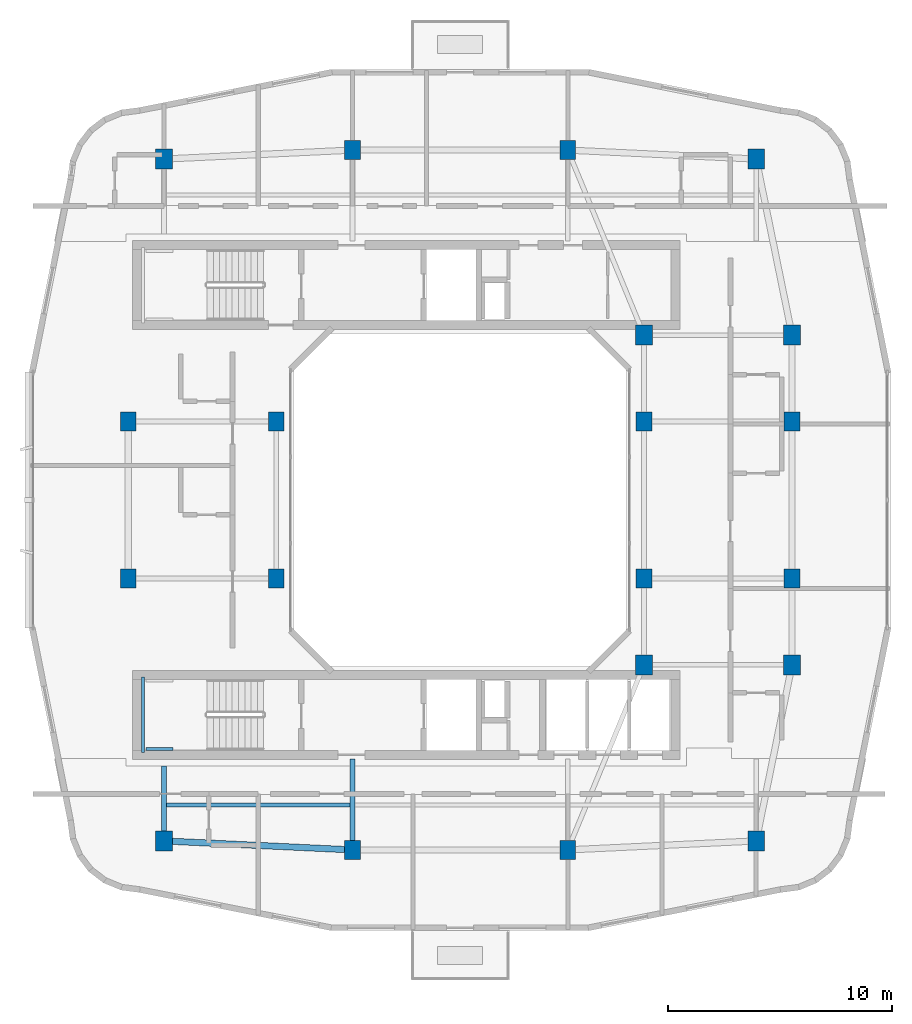
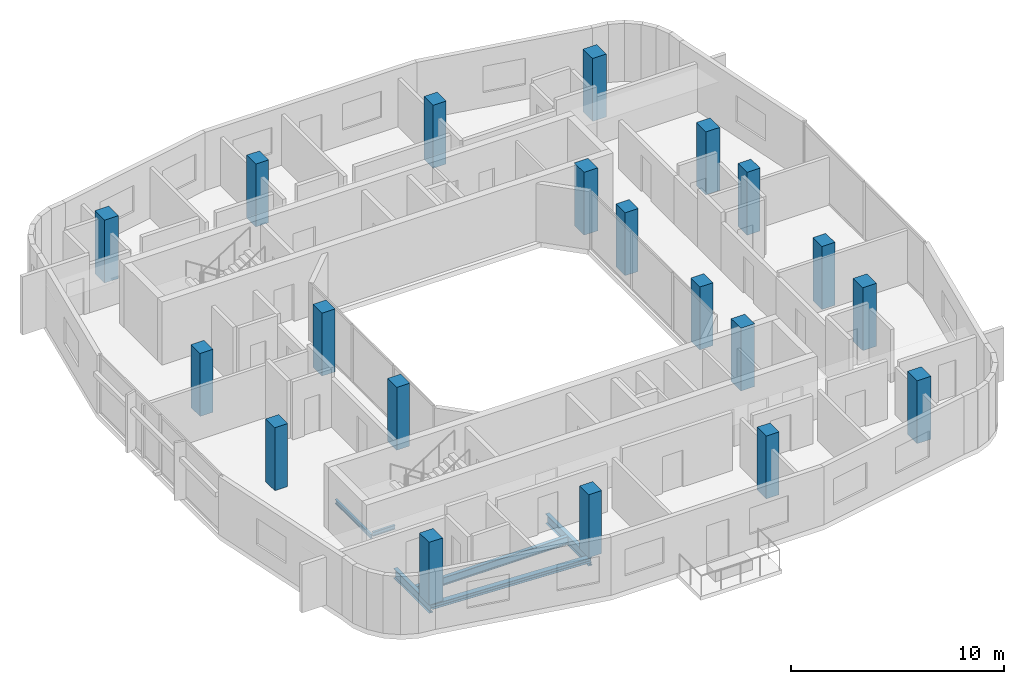
# One storey, part 1 of 13: 20 columns, 6 beams.
"""IFC4 building model written with IfcOpenShell, lengths in metres."""

from ifc_helpers import new_model, si_unit, derived_unit, direction, frame, origin, origin_2d, place, context, subcontext, project, spatial, rectangle, i_section, extrude, material, material_profile, profile_set, type_object, element, save


model = new_model("IFC4")

# Units and contexts
model_context = context("Model", 3, precision=1e-05, world=origin(), true_north=direction((0.0, 1.0)))
body_context = subcontext(model_context, "Body", "Model", "MODEL_VIEW")
ifc_project = project(units=[si_unit("LENGTHUNIT", "METRE"), si_unit("AREAUNIT", "SQUARE_METRE"), si_unit("VOLUMEUNIT", "CUBIC_METRE"), si_unit("PLANEANGLEUNIT", "RADIAN"), si_unit("MASSUNIT", "GRAM", prefix="KILO"), derived_unit("THERMALTRANSMITTANCEUNIT", [(si_unit("POWERUNIT", "WATT"), 1), (si_unit("LENGTHUNIT", "METRE"), -2), (si_unit("THERMODYNAMICTEMPERATUREUNIT", "KELVIN"), -1)])], contexts=[model_context])

# Site, building, storey
site_placement = place(None, origin())
site = spatial("IfcSite", under=ifc_project, at=site_placement, CompositionType="ELEMENT")
building_placement = place(site_placement, origin())
building = spatial("IfcBuilding", under=site, at=building_placement, Name="Kivonza Crest Hotel", CompositionType="ELEMENT")
storey_placement = place(building_placement, frame((0.0, 0.0, 231.5)))
storey = spatial("IfcBuildingStorey", under=building, at=storey_placement, Name="L63", CompositionType="ELEMENT", Elevation=231.5)

# Columns
ifc_material_1 = material(Name="Concrete C50/60", Category="concrete")
ifc_material_profile_1 = material_profile(ifc_material_1, rectangle(XDim=0.699951171875, YDim=0.85009765625, at=origin_2d()), Name="RC 850x700")
ifc_profile_set_1 = profile_set([ifc_material_profile_1], Name="Concrete C50/60")
column_type_1 = type_object("IfcColumnType", Name="CL-RC-850x700", PredefinedType="COLUMN", material=ifc_profile_set_1)
for number, where, z_axis, x_axis, name in (
    (1, (16.199951171875, 9.39990234375, 0.0), (0.0, 0.0, 1.0), (1.0, 0.0, 0.0), "Tower T1 L63 column S1"),
    (2, (25.800048828125, 9.39990234375, 0.0), (0.0, 0.0, 1.0), (1.0, 0.0, 0.0), "Tower T1 L63 column S2"),
    (3, (16.199951171875, 40.60009765625, 0.0), (0.0, 0.0, 1.0), (1.0, 0.0, 0.0), "Tower T1 L63 column N1"),
    (4, (25.800048828125, 40.60009765625, 0.0), (0.0, 0.0, 1.0), (1.0, 0.0, 0.0), "Tower T1 L63 column N2"),
    (5, (6.199951171875, 21.5, 0.0), (0.0, 0.0, 1.0), (1.0, 0.0, 0.0), "Tower T1 L63 column W1"),
    (6, (6.199951171875, 28.5, 0.0), (0.0, 0.0, 1.0), (1.0, 0.0, 0.0), "Tower T1 L63 column W2"),
    (7, (35.800048828125, 21.5, 0.0), (0.0, 0.0, 1.0), (1.0, 0.0, 0.0), "Tower T1 L63 column E1"),
    (8, (35.800048828125, 28.5, 0.0), (0.0, 0.0, 1.0), (1.0, 0.0, 0.0), "Tower T1 L63 column E2"),
    (9, (12.800048828125, 21.5, 0.0), (0.0, 0.0, 1.0), (1.0, 0.0, 0.0), "Tower T1 L63 column WL1"),
    (10, (12.800048828125, 28.5, 0.0), (0.0, 0.0, 1.0), (1.0, 0.0, 0.0), "Tower T1 L63 column WL2"),
    (11, (29.199951171875, 21.5, 0.0), (0.0, 0.0, 1.0), (1.0, 0.0, 0.0), "Tower T1 L63 column WR1"),
    (12, (29.199951171875, 28.5, 0.0), (0.0, 0.0, 1.0), (1.0, 0.0, 0.0), "Tower T1 L63 column WR2"),
):
    element("IfcColumn", number, at=place(storey_placement, frame(where, z_axis=z_axis, x_axis=x_axis)), inside=storey, type_object=column_type_1, Name=name, PredefinedType="COLUMN", context=body_context, shape_type="SweptSolid", body=[
        extrude(rectangle(XDim=0.699951171875, YDim=0.85009765625, at=origin_2d()), origin(), (0.0, 0.0, 1.0), 3.60009765625),
    ])
ifc_material_profile_2 = material_profile(ifc_material_1, rectangle(XDim=0.75, YDim=0.89990234375, at=origin_2d()), Name="RC 900x750")
ifc_profile_set_2 = profile_set([ifc_material_profile_2], Name="Concrete C50/60")
column_type_2 = type_object("IfcColumnType", Name="CL-RC-900x750", PredefinedType="COLUMN", material=ifc_profile_set_2)
for number, where, z_axis, x_axis, name in (
    (13, (7.800048828125, 9.800048828125, 0.0), (0.0, 0.0, 1.0), (1.0, 0.0, 0.0), "Tower T1 L63 column SW"),
    (14, (34.199951171875, 9.800048828125, 0.0), (0.0, 0.0, 1.0), (1.0, 0.0, 0.0), "Tower T1 L63 column SE"),
    (15, (34.199951171875, 40.199951171875, 0.0), (0.0, 0.0, 1.0), (1.0, 0.0, 0.0), "Tower T1 L63 column NE"),
    (16, (7.800048828125, 40.199951171875, 0.0), (0.0, 0.0, 1.0), (1.0, 0.0, 0.0), "Tower T1 L63 column NW"),
    (17, (35.800048828125, 17.64990234375, 0.0), (0.0, 0.0, 1.0), (1.0, 0.0, 0.0), "Tower T1 L63 column PSE"),
    (18, (35.800048828125, 32.35009765625, 0.0), (0.0, 0.0, 1.0), (1.0, 0.0, 0.0), "Tower T1 L63 column PNE"),
    (19, (29.199951171875, 17.64990234375, 0.0), (0.0, 0.0, 1.0), (1.0, 0.0, 0.0), "Tower T1 L63 column TSE"),
    (20, (29.199951171875, 32.35009765625, 0.0), (0.0, 0.0, 1.0), (1.0, 0.0, 0.0), "Tower T1 L63 column TNE"),
):
    element("IfcColumn", number, at=place(storey_placement, frame(where, z_axis=z_axis, x_axis=x_axis)), inside=storey, type_object=column_type_2, Name=name, PredefinedType="COLUMN", context=body_context, shape_type="SweptSolid", body=[
        extrude(rectangle(XDim=0.75, YDim=0.89990234375, at=origin_2d()), origin(), (0.0, 0.0, 1.0), 3.60009765625),
    ])

# Beams
ifc_material_2 = material(Name="Steel S355", Category="steel")
ifc_material_profile_3 = material_profile(ifc_material_2, i_section(OverallWidth=0.280029296875, OverallDepth=0.280029296875, WebThickness=0.010498046875, FlangeThickness=0.01806640625, FilletRadius=0.02392578125, at=origin_2d()), Name="HEB 280")
ifc_profile_set_3 = profile_set([ifc_material_profile_3], Name="Steel S355")
beam_type_1 = type_object("IfcBeamType", Name="BM-HEB280", PredefinedType="SPANDREL", material=ifc_profile_set_3)
beam_1_placement = place(storey_placement, frame((7.800048828125, 9.800048828125, -0.419921875), z_axis=(0.998867283688, -0.047583080799, 0.0), x_axis=(0.047583080799, 0.998867283688, 0.0)))
element("IfcBeam", 21, at=beam_1_placement, inside=storey, type_object=beam_type_1, Name="Tower T1 L63 perimeter spandrel SW-S1", PredefinedType="SPANDREL", context=body_context, shape_type="SweptSolid", body=[
    extrude(i_section(OverallWidth=0.280029296875, OverallDepth=0.280029296875, WebThickness=0.010498046875, FlangeThickness=0.01806640625, FilletRadius=0.02392578125, at=origin_2d()), origin(), (0.0, 0.0, 1.0), 8.409423828125),
])
ifc_material_profile_4 = material_profile(ifc_material_2, i_section(OverallWidth=0.18994140625, OverallDepth=0.449951171875, WebThickness=0.009521484375, FlangeThickness=0.0146484375, FilletRadius=0.02099609375, at=origin_2d()), Name="IPE 450")
ifc_profile_set_4 = profile_set([ifc_material_profile_4], Name="Steel S355")
beam_type_2 = type_object("IfcBeamType", Name="BM-IPE450", PredefinedType="JOIST", material=ifc_profile_set_4)
beam_2_placement = place(storey_placement, frame((7.8798828125, 11.39990234375, -0.5048828125), z_axis=(1.0, 0.0, 0.0), x_axis=(0.0, 1.0, 0.0)))
element("IfcBeam", 22, at=beam_2_placement, inside=storey, type_object=beam_type_2, Name="Tower T1 L63 South-West floor joist", PredefinedType="JOIST", context=body_context, shape_type="SweptSolid", body=[
    extrude(i_section(OverallWidth=0.18994140625, OverallDepth=0.449951171875, WebThickness=0.009521484375, FlangeThickness=0.0146484375, FilletRadius=0.02099609375, at=origin_2d()), origin(), (0.0, 0.0, 1.0), 8.240234375),
])
ifc_material_profile_5 = material_profile(ifc_material_2, i_section(OverallWidth=0.2099609375, OverallDepth=0.550048828125, WebThickness=0.010986328125, FlangeThickness=0.01708984375, FilletRadius=0.02392578125, at=origin_2d()), Name="IPE 550")
ifc_profile_set_5 = profile_set([ifc_material_profile_5], Name="Steel S355")
beam_type_3 = type_object("IfcBeamType", Name="BM-IPE550", PredefinedType="BEAM", material=ifc_profile_set_5)
beam_3_placement = place(storey_placement, frame((7.800048828125, 9.800048828125, -0.554931640625), z_axis=(0.0, 1.0, 0.0), x_axis=(-1.0, 0.0, 0.0)))
element("IfcBeam", 23, at=beam_3_placement, inside=storey, type_object=beam_type_3, Name="Tower T1 L63 radial core girder RSW", PredefinedType="BEAM", context=body_context, shape_type="SweptSolid", body=[
    extrude(i_section(OverallWidth=0.2099609375, OverallDepth=0.550048828125, WebThickness=0.010986328125, FlangeThickness=0.01708984375, FilletRadius=0.02392578125, at=origin_2d()), origin(), (0.0, 0.0, 1.0), 3.349853515625),
])
beam_4_placement = place(storey_placement, frame((16.199951171875, 9.39990234375, -0.554931640625), z_axis=(0.0, 1.0, 0.0), x_axis=(-1.0, 0.0, 0.0)))
element("IfcBeam", 24, at=beam_4_placement, inside=storey, type_object=beam_type_3, Name="Tower T1 L63 radial core girder RS1", PredefinedType="BEAM", context=body_context, shape_type="SweptSolid", body=[
    extrude(i_section(OverallWidth=0.2099609375, OverallDepth=0.550048828125, WebThickness=0.010986328125, FlangeThickness=0.01708984375, FilletRadius=0.02392578125, at=origin_2d()), origin(), (0.0, 0.0, 1.0), 4.050048828125),
])
ifc_material_profile_6 = material_profile(ifc_material_2, i_section(OverallWidth=0.1201171875, OverallDepth=0.239990234375, WebThickness=0.006103515625, FlangeThickness=0.009765625, FilletRadius=0.014892578125, at=origin_2d()), Name="IPE 240")
ifc_profile_set_6 = profile_set([ifc_material_profile_6], Name="Steel S355")
beam_type_4 = type_object("IfcBeamType", Name="BM-LLDG-240", PredefinedType="BEAM", material=ifc_profile_set_6)
beam_5_placement = place(storey_placement, frame((6.860107421875, 13.739990234375, 1.47998046875), z_axis=(0.0, 1.0, 0.0), x_axis=(-1.0, 0.0, 0.0)))
element("IfcBeam", 25, at=beam_5_placement, inside=storey, type_object=beam_type_4, Name="Stair ST-T1-S L63 West landing corbel", PredefinedType="BEAM", context=body_context, shape_type="SweptSolid", body=[
    extrude(i_section(OverallWidth=0.1201171875, OverallDepth=0.239990234375, WebThickness=0.006103515625, FlangeThickness=0.009765625, FilletRadius=0.014892578125, at=origin_2d()), origin(), (0.0, 0.0, 1.0), 3.360107421875),
])
beam_6_placement = place(storey_placement, frame((6.989990234375, 13.89990234375, 1.47998046875), z_axis=(1.0, 0.0, 0.0), x_axis=(0.0, 1.0, 0.0)))
element("IfcBeam", 26, at=beam_6_placement, inside=storey, type_object=beam_type_4, Name="Stair ST-T1-S L63 South landing corbel", PredefinedType="BEAM", context=body_context, shape_type="SweptSolid", body=[
    extrude(i_section(OverallWidth=0.1201171875, OverallDepth=0.239990234375, WebThickness=0.006103515625, FlangeThickness=0.009765625, FilletRadius=0.014892578125, at=origin_2d()), origin(), (0.0, 0.0, 1.0), 1.2099609375),
])

save(model, "model.ifc")
